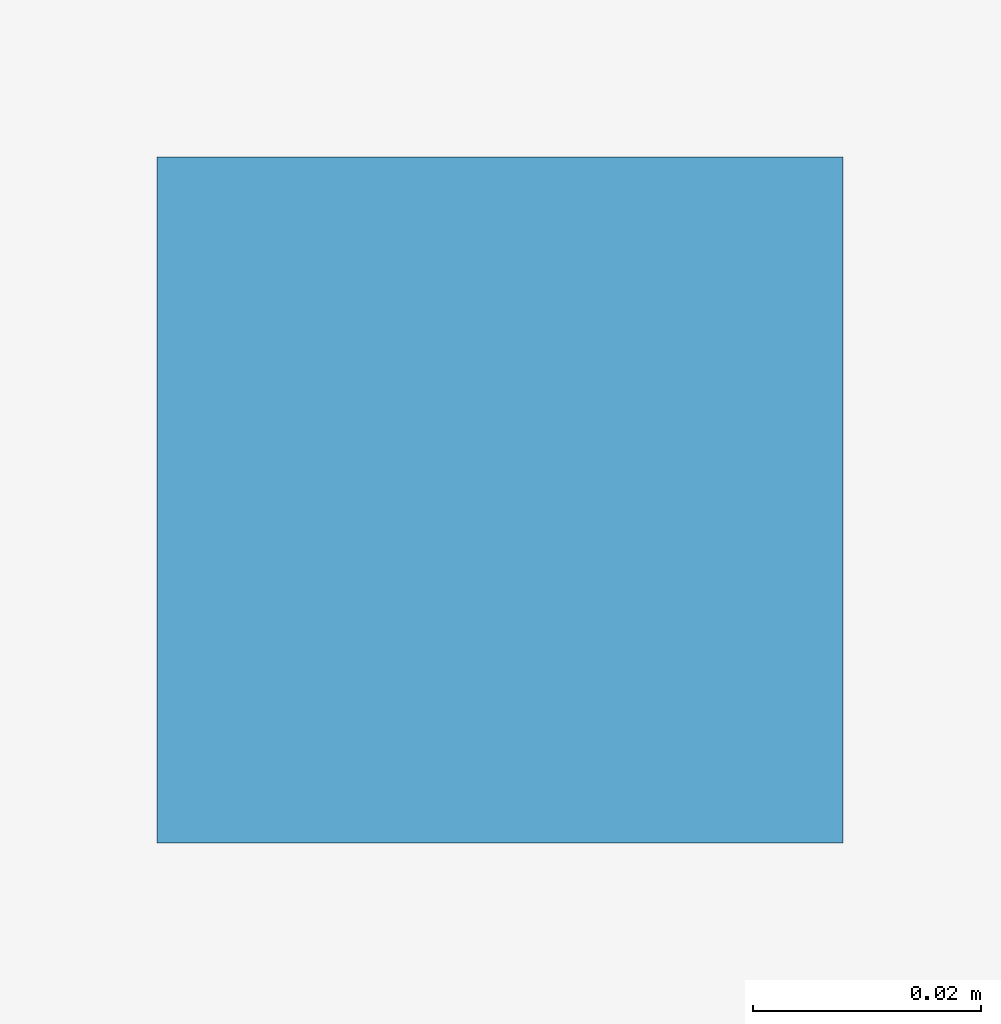
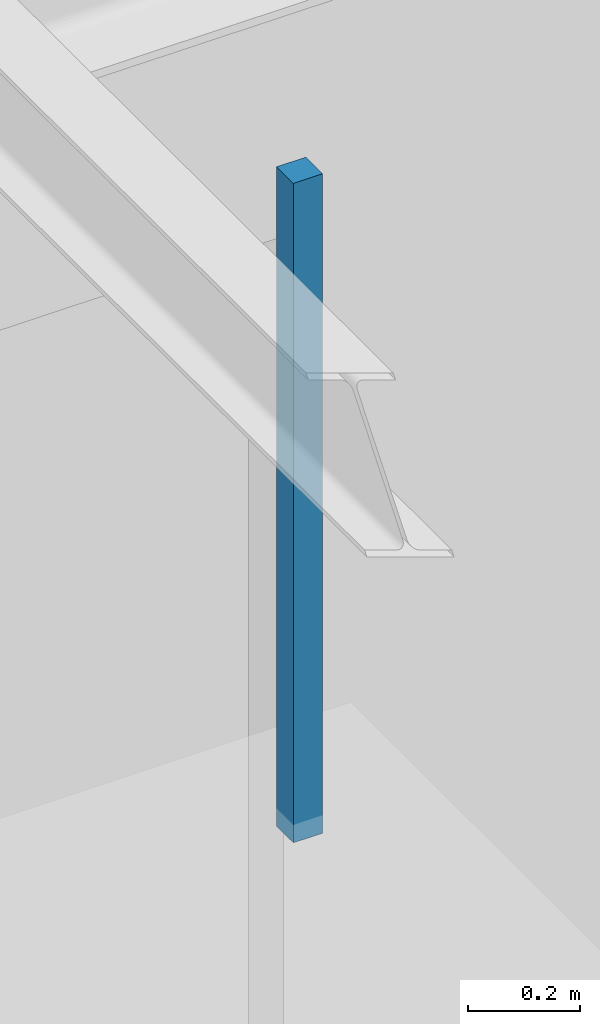
# One storey, part 102 of 124: 1 discrete accessory.
"""IFC4 building model written with IfcOpenShell, lengths in metres."""

from ifc_helpers import new_model, si_unit, direction, frame, origin, origin_2d, place, context, subcontext, project, spatial, rectangle, extrude, material, type_object, element, save


model = new_model("IFC4")

# Units and contexts
model_context = context("Model", 3, precision=1e-05, world=origin(), true_north=direction((0.0, 1.0)))
body_context = subcontext(model_context, "Body", "Model", "MODEL_VIEW")
ifc_project = project(units=[si_unit("LENGTHUNIT", "METRE"), si_unit("AREAUNIT", "SQUARE_METRE"), si_unit("VOLUMEUNIT", "CUBIC_METRE"), si_unit("PLANEANGLEUNIT", "RADIAN"), si_unit("MASSUNIT", "GRAM", prefix="KILO")], contexts=[model_context])

# Site, building, storey
site_placement = place(None, origin())
site = spatial("IfcSite", under=ifc_project, at=site_placement, CompositionType="ELEMENT")
building_placement = place(site_placement, origin())
building = spatial("IfcBuilding", under=site, at=building_placement, Name="Sundkrona Museum", CompositionType="ELEMENT")
storey_placement = place(building_placement, frame((0.0, 0.0, 17.60009765625)))
storey = spatial("IfcBuildingStorey", under=building, at=storey_placement, Name="L03", CompositionType="ELEMENT", Elevation=17.60009765625)

# Discrete accessory
ifc_material = material(Name="Stainless Steel EN 1.4404 Cleat", Category="steel")
discrete_accessory_type = type_object("IfcDiscreteAccessoryType", Name="BRK-FIN-01", PredefinedType="BRACKET", material=ifc_material)
discrete_accessory_placement = place(storey_placement, frame((165.550048828125, 30.949951171875, 2.550048828125), z_axis=(0.0, 0.0, 1.0), x_axis=(1.0, 0.0, 0.0)))
element("IfcDiscreteAccessory", 1, at=discrete_accessory_placement, inside=storey, type_object=discrete_accessory_type, Name="L03 Ornithology Exhibition Hall Ceiling Hanger 3", PredefinedType="BRACKET", context=body_context, shape_type="SweptSolid", body=[
    extrude(rectangle(XDim=0.06005859375, YDim=0.06005859375, at=origin_2d()), origin(), (0.0, 0.0, 1.0), 1.43994140625),
])

save(model, "model.ifc")
